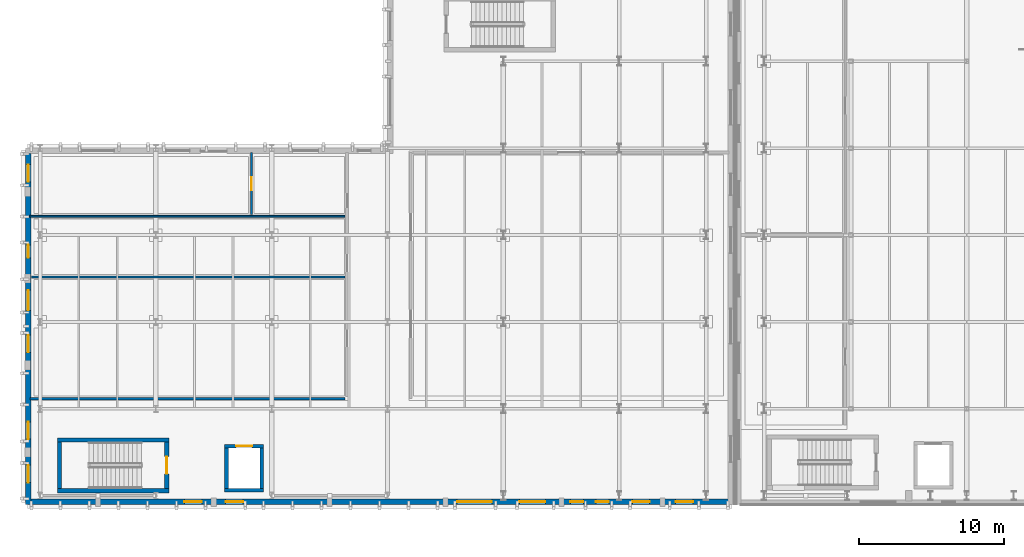
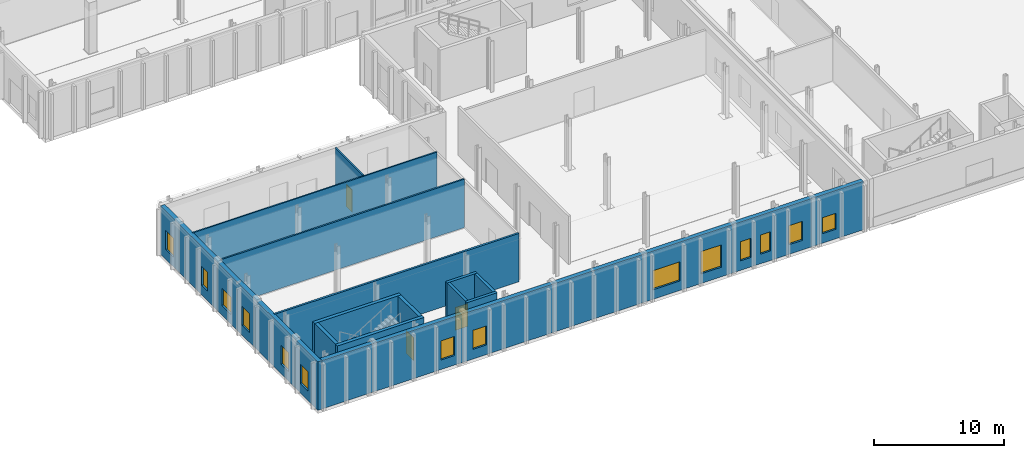
# One storey, part 21 of 60: 14 walls, 14 windows, 3 doors, 17 openings.
"""IFC4 building model written with IfcOpenShell, lengths in metres."""

from ifc_helpers import new_model, si_unit, direction, frame, frame_2d, origin, place, context, subcontext, project, spatial, rectangle, extrude, material, layer, layer_set, type_object, element, fill, save


model = new_model("IFC4")

# Units and contexts
model_context = context("Model", 3, precision=1e-05, world=origin(), true_north=direction((0.0, 1.0)))
body_context = subcontext(model_context, "Body", "Model", "MODEL_VIEW")
ifc_project = project(units=[si_unit("LENGTHUNIT", "METRE"), si_unit("AREAUNIT", "SQUARE_METRE"), si_unit("VOLUMEUNIT", "CUBIC_METRE"), si_unit("PLANEANGLEUNIT", "RADIAN"), si_unit("MASSUNIT", "GRAM", prefix="KILO")], contexts=[model_context])

# Site, building, storey
site_placement = place(None, origin())
site = spatial("IfcSite", under=ifc_project, at=site_placement, CompositionType="ELEMENT")
building_placement = place(site_placement, origin())
building = spatial("IfcBuilding", under=site, at=building_placement, Name="Cymarion Research Institute", CompositionType="ELEMENT")
storey_placement = place(building_placement, origin())
storey = spatial("IfcBuildingStorey", under=building, at=storey_placement, Name="L00", CompositionType="ELEMENT", Elevation=0.0)

# Wall, openings, windows
ifc_material_1 = material(Name="Precast concrete C40/50", Category="concrete")
ifc_layer_1 = layer(ifc_material_1, 0.3798828125)
ifc_layer_set_1 = layer_set([ifc_layer_1], Name="Precast concrete C40/50")
wall_type_1 = type_object("IfcWallType", Name="EXTERIOR WALL EW-PC380 380MM", PredefinedType="SOLIDWALL", material=ifc_layer_set_1)
wall_1_placement = place(storey_placement, frame((5.9619140625, 5.090087890625, 0.0), z_axis=(0.0, 0.0, 1.0), x_axis=(1.0, 0.0, 0.0)))
wall_1 = element("IfcWall", 1, at=wall_1_placement, inside=storey, type_object=wall_type_1, Name="L00 V3 exterior wall EW-PC380 #59", PredefinedType="SOLIDWALL", context=body_context, shape_type="SweptSolid", body=[
    extrude(rectangle(XDim=48.176025390625, YDim=0.3798828125, at=frame_2d((24.087890625, 0.0))), origin(), (0.0, 0.0, 1.0), 4.550048828125),
])
opening_1_placement = place(wall_1_placement, frame((10.614013671875, 0.0, 0.89990234375)))
opening_1 = element("IfcOpeningElement", 2, at=opening_1_placement, cuts=wall_1, Name="Opening W01", PredefinedType="OPENING", context=body_context, shape_type="SweptSolid", body=[
    extrude(rectangle(XDim=1.199951171875, YDim=1.800048828125, at=frame_2d((0.60009765625, 0.89990234375))), frame((0.0, 0.199951171875, 0.0), z_axis=(0.0, -1.0, 0.0), x_axis=(1.0, 0.0, 0.0)), (0.0, 0.0, 1.0), 0.39990234375),
])
opening_2_placement = place(wall_1_placement, frame((13.4580078125, 0.0, 0.89990234375)))
opening_2 = element("IfcOpeningElement", 3, at=opening_2_placement, cuts=wall_1, Name="Opening W01", PredefinedType="OPENING", context=body_context, shape_type="SweptSolid", body=[
    extrude(rectangle(XDim=1.199951171875, YDim=1.800048828125, at=frame_2d((0.60009765625, 0.89990234375))), frame((0.0, 0.199951171875, 0.0), z_axis=(0.0, -1.0, 0.0), x_axis=(1.0, 0.0, 0.0)), (0.0, 0.0, 1.0), 0.39990234375),
])
opening_3_placement = place(wall_1_placement, frame((29.43798828125, 0.0, 0.89990234375)))
opening_3 = element("IfcOpeningElement", 4, at=opening_3_placement, cuts=wall_1, Name="Opening W05", PredefinedType="OPENING", context=body_context, shape_type="SweptSolid", body=[
    extrude(rectangle(XDim=2.39990234375, YDim=1.800048828125, at=frame_2d((1.199951171875, 0.89990234375))), frame((0.0, 0.199951171875, 0.0), z_axis=(0.0, -1.0, 0.0), x_axis=(1.0, 0.0, 0.0)), (0.0, 0.0, 1.0), 0.39990234375),
])
opening_4_placement = place(wall_1_placement, frame((33.738037109375, 0.0, 0.89990234375)))
opening_4 = element("IfcOpeningElement", 5, at=opening_4_placement, cuts=wall_1, Name="Opening W10", PredefinedType="OPENING", context=body_context, shape_type="SweptSolid", body=[
    extrude(rectangle(XDim=1.800048828125, YDim=2.10009765625, at=frame_2d((0.89990234375, 1.050048828125))), frame((0.0, 0.199951171875, 0.0), z_axis=(0.0, -1.0, 0.0), x_axis=(1.0, 0.0, 0.0)), (0.0, 0.0, 1.0), 0.39990234375),
])
opening_5_placement = place(wall_1_placement, frame((37.258056640625, 0.0, 0.89990234375)))
opening_5 = element("IfcOpeningElement", 6, at=opening_5_placement, cuts=wall_1, Name="Opening W24", PredefinedType="OPENING", context=body_context, shape_type="SweptSolid", body=[
    extrude(rectangle(XDim=0.89990234375, YDim=1.800048828125, at=frame_2d((0.449951171875, 0.89990234375))), frame((0.0, 0.199951171875, 0.0), z_axis=(0.0, -1.0, 0.0), x_axis=(1.0, 0.0, 0.0)), (0.0, 0.0, 1.0), 0.39990234375),
])
opening_6_placement = place(wall_1_placement, frame((39.01806640625, 0.0, 0.89990234375)))
opening_6 = element("IfcOpeningElement", 7, at=opening_6_placement, cuts=wall_1, Name="Opening W24", PredefinedType="OPENING", context=body_context, shape_type="SweptSolid", body=[
    extrude(rectangle(XDim=0.89990234375, YDim=1.800048828125, at=frame_2d((0.449951171875, 0.89990234375))), frame((0.0, 0.199951171875, 0.0), z_axis=(0.0, -1.0, 0.0), x_axis=(1.0, 0.0, 0.0)), (0.0, 0.0, 1.0), 0.39990234375),
])
opening_7_placement = place(wall_1_placement, frame((41.5380859375, 0.0, 0.89990234375)))
opening_7 = element("IfcOpeningElement", 8, at=opening_7_placement, cuts=wall_1, Name="Opening W01", PredefinedType="OPENING", context=body_context, shape_type="SweptSolid", body=[
    extrude(rectangle(XDim=1.199951171875, YDim=1.800048828125, at=frame_2d((0.60009765625, 0.89990234375))), frame((0.0, 0.199951171875, 0.0), z_axis=(0.0, -1.0, 0.0), x_axis=(1.0, 0.0, 0.0)), (0.0, 0.0, 1.0), 0.39990234375),
])
opening_8_placement = place(wall_1_placement, frame((44.5380859375, 0.0, 0.89990234375)))
opening_8 = element("IfcOpeningElement", 9, at=opening_8_placement, cuts=wall_1, Name="Opening W15", PredefinedType="OPENING", context=body_context, shape_type="SweptSolid", body=[
    extrude(rectangle(XDim=1.199951171875, YDim=1.5, at=frame_2d((0.60009765625, 0.75))), frame((0.0, 0.199951171875, 0.0), z_axis=(0.0, -1.0, 0.0), x_axis=(1.0, 0.0, 0.0)), (0.0, 0.0, 1.0), 0.39990234375),
])
ifc_material_2 = material(Name="Thermally broken aluminium window with Low-E glazing", Category="aluminium")
window_type_1 = type_object("IfcWindowType", Name="THERMALLY BROKEN ALUMINIUM WINDOW W01 1200X1800", PartitioningType="SINGLE_PANEL", PredefinedType="WINDOW", material=ifc_material_2)
window_1_placement = place(opening_1_placement, origin())
window_1 = element("IfcWindow", 10, at=window_1_placement, inside=storey, type_object=window_type_1, Name="L00 V3 facade window W01 #68", OverallHeight=1.800048828125, OverallWidth=1.199951171875, PartitioningType="SINGLE_PANEL", PredefinedType="WINDOW", context=body_context, shape_type="SweptSolid", body=[
    extrude(rectangle(XDim=1.199951171875, YDim=1.800048828125, at=frame_2d((0.60009765625, 0.89990234375))), frame((0.0, 0.030029296875, 0.0), z_axis=(0.0, -1.0, 0.0), x_axis=(1.0, 0.0, 0.0)), (0.0, 0.0, 1.0), 0.06005859375),
])
fill(opening_1, window_1)
window_2_placement = place(opening_2_placement, origin())
window_2 = element("IfcWindow", 11, at=window_2_placement, inside=storey, type_object=window_type_1, Name="L00 V3 facade window W01 #69", OverallHeight=1.800048828125, OverallWidth=1.199951171875, PartitioningType="SINGLE_PANEL", PredefinedType="WINDOW", context=body_context, shape_type="SweptSolid", body=[
    extrude(rectangle(XDim=1.199951171875, YDim=1.800048828125, at=frame_2d((0.60009765625, 0.89990234375))), frame((0.0, 0.030029296875, 0.0), z_axis=(0.0, -1.0, 0.0), x_axis=(1.0, 0.0, 0.0)), (0.0, 0.0, 1.0), 0.06005859375),
])
fill(opening_2, window_2)
window_3_placement = place(opening_7_placement, origin())
window_3 = element("IfcWindow", 12, at=window_3_placement, inside=storey, type_object=window_type_1, Name="L00 V3 facade window W01 #74", OverallHeight=1.800048828125, OverallWidth=1.199951171875, PartitioningType="SINGLE_PANEL", PredefinedType="WINDOW", context=body_context, shape_type="SweptSolid", body=[
    extrude(rectangle(XDim=1.199951171875, YDim=1.800048828125, at=frame_2d((0.60009765625, 0.89990234375))), frame((0.0, 0.030029296875, 0.0), z_axis=(0.0, -1.0, 0.0), x_axis=(1.0, 0.0, 0.0)), (0.0, 0.0, 1.0), 0.06005859375),
])
fill(opening_7, window_3)
window_type_2 = type_object("IfcWindowType", Name="THERMALLY BROKEN ALUMINIUM WINDOW W05 2400X1800", PartitioningType="TRIPLE_PANEL_VERTICAL", PredefinedType="WINDOW", material=ifc_material_2)
window_4_placement = place(opening_3_placement, origin())
window_4 = element("IfcWindow", 13, at=window_4_placement, inside=storey, type_object=window_type_2, Name="L00 V3 facade window W05 #70", OverallHeight=1.800048828125, OverallWidth=2.39990234375, PartitioningType="SINGLE_PANEL", PredefinedType="WINDOW", context=body_context, shape_type="SweptSolid", body=[
    extrude(rectangle(XDim=2.39990234375, YDim=1.800048828125, at=frame_2d((1.199951171875, 0.89990234375))), frame((0.0, 0.030029296875, 0.0), z_axis=(0.0, -1.0, 0.0), x_axis=(1.0, 0.0, 0.0)), (0.0, 0.0, 1.0), 0.06005859375),
])
fill(opening_3, window_4)
window_type_3 = type_object("IfcWindowType", Name="THERMALLY BROKEN ALUMINIUM WINDOW W10 1800X2100", PartitioningType="DOUBLE_PANEL_VERTICAL", PredefinedType="WINDOW", material=ifc_material_2)
window_5_placement = place(opening_4_placement, origin())
window_5 = element("IfcWindow", 14, at=window_5_placement, inside=storey, type_object=window_type_3, Name="L00 V3 facade window W10 #71", OverallHeight=2.10009765625, OverallWidth=1.800048828125, PartitioningType="SINGLE_PANEL", PredefinedType="WINDOW", context=body_context, shape_type="SweptSolid", body=[
    extrude(rectangle(XDim=1.800048828125, YDim=2.10009765625, at=frame_2d((0.89990234375, 1.050048828125))), frame((0.0, 0.030029296875, 0.0), z_axis=(0.0, -1.0, 0.0), x_axis=(1.0, 0.0, 0.0)), (0.0, 0.0, 1.0), 0.06005859375),
])
fill(opening_4, window_5)
window_type_4 = type_object("IfcWindowType", Name="THERMALLY BROKEN ALUMINIUM WINDOW W15 1200X1500", PartitioningType="SINGLE_PANEL", PredefinedType="WINDOW", material=ifc_material_2)
window_6_placement = place(opening_8_placement, origin())
window_6 = element("IfcWindow", 15, at=window_6_placement, inside=storey, type_object=window_type_4, Name="L00 V3 facade window W15 #75", OverallHeight=1.5, OverallWidth=1.199951171875, PartitioningType="SINGLE_PANEL", PredefinedType="WINDOW", context=body_context, shape_type="SweptSolid", body=[
    extrude(rectangle(XDim=1.199951171875, YDim=1.5, at=frame_2d((0.60009765625, 0.75))), frame((0.0, 0.030029296875, 0.0), z_axis=(0.0, -1.0, 0.0), x_axis=(1.0, 0.0, 0.0)), (0.0, 0.0, 1.0), 0.06005859375),
])
fill(opening_8, window_6)
window_type_5 = type_object("IfcWindowType", Name="THERMALLY BROKEN ALUMINIUM WINDOW W24 900X1800", PartitioningType="SINGLE_PANEL", PredefinedType="WINDOW", material=ifc_material_2)
window_7_placement = place(opening_5_placement, origin())
window_7 = element("IfcWindow", 16, at=window_7_placement, inside=storey, type_object=window_type_5, Name="L00 V3 facade window W24 #72", OverallHeight=1.800048828125, OverallWidth=0.89990234375, PartitioningType="SINGLE_PANEL", PredefinedType="WINDOW", context=body_context, shape_type="SweptSolid", body=[
    extrude(rectangle(XDim=0.89990234375, YDim=1.800048828125, at=frame_2d((0.449951171875, 0.89990234375))), frame((0.0, 0.030029296875, 0.0), z_axis=(0.0, -1.0, 0.0), x_axis=(1.0, 0.0, 0.0)), (0.0, 0.0, 1.0), 0.06005859375),
])
fill(opening_5, window_7)
window_8_placement = place(opening_6_placement, origin())
window_8 = element("IfcWindow", 17, at=window_8_placement, inside=storey, type_object=window_type_5, Name="L00 V3 facade window W24 #73", OverallHeight=1.800048828125, OverallWidth=0.89990234375, PartitioningType="SINGLE_PANEL", PredefinedType="WINDOW", context=body_context, shape_type="SweptSolid", body=[
    extrude(rectangle(XDim=0.89990234375, YDim=1.800048828125, at=frame_2d((0.449951171875, 0.89990234375))), frame((0.0, 0.030029296875, 0.0), z_axis=(0.0, -1.0, 0.0), x_axis=(1.0, 0.0, 0.0)), (0.0, 0.0, 1.0), 0.06005859375),
])
fill(opening_6, window_8)

wall_2_placement = place(storey_placement, frame((5.7900390625, 29.137939453125, 0.0), z_axis=(0.0, 0.0, 1.0), x_axis=(0.0, -1.0, 0.0)))
wall_2 = element("IfcWall", 18, at=wall_2_placement, inside=storey, type_object=wall_type_1, Name="L00 V3 exterior wall EW-PC380 #64", PredefinedType="SOLIDWALL", context=body_context, shape_type="SweptSolid", body=[
    extrude(rectangle(XDim=24.238037109375, YDim=0.3798828125, at=frame_2d((12.119140625, 0.0))), origin(), (0.0, 0.0, 1.0), 4.550048828125),
])
opening_9_placement = place(wall_2_placement, frame((0.76904296875, 0.0, 0.89990234375)))
opening_9 = element("IfcOpeningElement", 19, at=opening_9_placement, cuts=wall_2, Name="Opening W01", PredefinedType="OPENING", context=body_context, shape_type="SweptSolid", body=[
    extrude(rectangle(XDim=1.199951171875, YDim=1.800048828125, at=frame_2d((0.60009765625, 0.89990234375))), frame((0.0, 0.199951171875, 0.0), z_axis=(0.0, -1.0, 0.0), x_axis=(1.0, 0.0, 0.0)), (0.0, 0.0, 1.0), 0.39990234375),
])
opening_10_placement = place(wall_2_placement, frame((6.30810546875, 0.0, 0.89990234375)))
opening_10 = element("IfcOpeningElement", 20, at=opening_10_placement, cuts=wall_2, Name="Opening W24", PredefinedType="OPENING", context=body_context, shape_type="SweptSolid", body=[
    extrude(rectangle(XDim=0.89990234375, YDim=1.800048828125, at=frame_2d((0.449951171875, 0.89990234375))), frame((0.0, 0.199951171875, 0.0), z_axis=(0.0, -1.0, 0.0), x_axis=(1.0, 0.0, 0.0)), (0.0, 0.0, 1.0), 0.39990234375),
])
opening_11_placement = place(wall_2_placement, frame((9.43798828125, 0.0, 0.89990234375)))
opening_11 = element("IfcOpeningElement", 21, at=opening_11_placement, cuts=wall_2, Name="Opening W33", PredefinedType="OPENING", context=body_context, shape_type="SweptSolid", body=[
    extrude(rectangle(XDim=1.39990234375, YDim=1.64990234375, at=frame_2d((0.699951171875, 0.824951171875))), frame((0.0, 0.199951171875, 0.0), z_axis=(0.0, -1.0, 0.0), x_axis=(1.0, 0.0, 0.0)), (0.0, 0.0, 1.0), 0.39990234375),
])
opening_12_placement = place(wall_2_placement, frame((12.5380859375, 0.0, 0.89990234375)))
opening_12 = element("IfcOpeningElement", 22, at=opening_12_placement, cuts=wall_2, Name="Opening W01", PredefinedType="OPENING", context=body_context, shape_type="SweptSolid", body=[
    extrude(rectangle(XDim=1.199951171875, YDim=1.800048828125, at=frame_2d((0.60009765625, 0.89990234375))), frame((0.0, 0.199951171875, 0.0), z_axis=(0.0, -1.0, 0.0), x_axis=(1.0, 0.0, 0.0)), (0.0, 0.0, 1.0), 0.39990234375),
])
opening_13_placement = place(wall_2_placement, frame((18.5380859375, 0.0, 0.89990234375)))
opening_13 = element("IfcOpeningElement", 23, at=opening_13_placement, cuts=wall_2, Name="Opening W01", PredefinedType="OPENING", context=body_context, shape_type="SweptSolid", body=[
    extrude(rectangle(XDim=1.199951171875, YDim=1.800048828125, at=frame_2d((0.60009765625, 0.89990234375))), frame((0.0, 0.199951171875, 0.0), z_axis=(0.0, -1.0, 0.0), x_axis=(1.0, 0.0, 0.0)), (0.0, 0.0, 1.0), 0.39990234375),
])
opening_14_placement = place(wall_2_placement, frame((21.528076171875, 0.0, 0.89990234375)))
opening_14 = element("IfcOpeningElement", 24, at=opening_14_placement, cuts=wall_2, Name="Opening W01", PredefinedType="OPENING", context=body_context, shape_type="SweptSolid", body=[
    extrude(rectangle(XDim=1.199951171875, YDim=1.800048828125, at=frame_2d((0.60009765625, 0.89990234375))), frame((0.0, 0.199951171875, 0.0), z_axis=(0.0, -1.0, 0.0), x_axis=(1.0, 0.0, 0.0)), (0.0, 0.0, 1.0), 0.39990234375),
])
window_9_placement = place(opening_9_placement, origin())
window_9 = element("IfcWindow", 25, at=window_9_placement, inside=storey, type_object=window_type_1, Name="L00 V3 facade window W01 #91", OverallHeight=1.800048828125, OverallWidth=1.199951171875, PartitioningType="SINGLE_PANEL", PredefinedType="WINDOW", context=body_context, shape_type="SweptSolid", body=[
    extrude(rectangle(XDim=1.199951171875, YDim=1.800048828125, at=frame_2d((0.60009765625, 0.89990234375))), frame((0.0, 0.030029296875, 0.0), z_axis=(0.0, -1.0, 0.0), x_axis=(1.0, 0.0, 0.0)), (0.0, 0.0, 1.0), 0.06005859375),
])
fill(opening_9, window_9)
window_10_placement = place(opening_12_placement, origin())
window_10 = element("IfcWindow", 26, at=window_10_placement, inside=storey, type_object=window_type_1, Name="L00 V3 facade window W01 #94", OverallHeight=1.800048828125, OverallWidth=1.199951171875, PartitioningType="SINGLE_PANEL", PredefinedType="WINDOW", context=body_context, shape_type="SweptSolid", body=[
    extrude(rectangle(XDim=1.199951171875, YDim=1.800048828125, at=frame_2d((0.60009765625, 0.89990234375))), frame((0.0, 0.030029296875, 0.0), z_axis=(0.0, -1.0, 0.0), x_axis=(1.0, 0.0, 0.0)), (0.0, 0.0, 1.0), 0.06005859375),
])
fill(opening_12, window_10)
window_11_placement = place(opening_13_placement, origin())
window_11 = element("IfcWindow", 27, at=window_11_placement, inside=storey, type_object=window_type_1, Name="L00 V3 facade window W01 #95", OverallHeight=1.800048828125, OverallWidth=1.199951171875, PartitioningType="SINGLE_PANEL", PredefinedType="WINDOW", context=body_context, shape_type="SweptSolid", body=[
    extrude(rectangle(XDim=1.199951171875, YDim=1.800048828125, at=frame_2d((0.60009765625, 0.89990234375))), frame((0.0, 0.030029296875, 0.0), z_axis=(0.0, -1.0, 0.0), x_axis=(1.0, 0.0, 0.0)), (0.0, 0.0, 1.0), 0.06005859375),
])
fill(opening_13, window_11)
window_12_placement = place(opening_14_placement, origin())
window_12 = element("IfcWindow", 28, at=window_12_placement, inside=storey, type_object=window_type_1, Name="L00 V3 facade window W01 #96", OverallHeight=1.800048828125, OverallWidth=1.199951171875, PartitioningType="SINGLE_PANEL", PredefinedType="WINDOW", context=body_context, shape_type="SweptSolid", body=[
    extrude(rectangle(XDim=1.199951171875, YDim=1.800048828125, at=frame_2d((0.60009765625, 0.89990234375))), frame((0.0, 0.030029296875, 0.0), z_axis=(0.0, -1.0, 0.0), x_axis=(1.0, 0.0, 0.0)), (0.0, 0.0, 1.0), 0.06005859375),
])
fill(opening_14, window_12)
window_13_placement = place(opening_10_placement, origin())
window_13 = element("IfcWindow", 29, at=window_13_placement, inside=storey, type_object=window_type_5, Name="L00 V3 facade window W24 #92", OverallHeight=1.800048828125, OverallWidth=0.89990234375, PartitioningType="SINGLE_PANEL", PredefinedType="WINDOW", context=body_context, shape_type="SweptSolid", body=[
    extrude(rectangle(XDim=0.89990234375, YDim=1.800048828125, at=frame_2d((0.449951171875, 0.89990234375))), frame((0.0, 0.030029296875, 0.0), z_axis=(0.0, -1.0, 0.0), x_axis=(1.0, 0.0, 0.0)), (0.0, 0.0, 1.0), 0.06005859375),
])
fill(opening_10, window_13)
window_type_6 = type_object("IfcWindowType", Name="THERMALLY BROKEN ALUMINIUM WINDOW W33 1400X1650", PartitioningType="SINGLE_PANEL", PredefinedType="WINDOW", material=ifc_material_2)
window_14_placement = place(opening_11_placement, origin())
window_14 = element("IfcWindow", 30, at=window_14_placement, inside=storey, type_object=window_type_6, Name="L00 V3 facade window W33 #93", OverallHeight=1.64990234375, OverallWidth=1.39990234375, PartitioningType="SINGLE_PANEL", PredefinedType="WINDOW", context=body_context, shape_type="SweptSolid", body=[
    extrude(rectangle(XDim=1.39990234375, YDim=1.64990234375, at=frame_2d((0.699951171875, 0.824951171875))), frame((0.0, 0.030029296875, 0.0), z_axis=(0.0, -1.0, 0.0), x_axis=(1.0, 0.0, 0.0)), (0.0, 0.0, 1.0), 0.06005859375),
])
fill(opening_11, window_14)

# Walls
ifc_material_3 = material(Name="Gypsum acoustic double-stud partition", Category="gypsum")
ifc_layer_2 = layer(ifc_material_3, 0.14990234375)
ifc_layer_set_2 = layer_set([ifc_layer_2], Name="Gypsum acoustic double-stud partition")
wall_type_2 = type_object("IfcWallType", Name="INTERIOR PARTITION IW-AC150 150MM", PredefinedType="PARTITIONING", material=ifc_layer_set_2)
wall_3_placement = place(storey_placement, frame((6.0, 20.60009765625, 0.0), z_axis=(0.0, 0.0, 1.0), x_axis=(1.0, 0.0, 0.0)))
element("IfcWall", 31, at=wall_3_placement, inside=storey, type_object=wall_type_2, Name="L00 V3 interior partition IW-AC150 #74", PredefinedType="PARTITIONING", context=body_context, shape_type="SweptSolid", body=[
    extrude(rectangle(XDim=21.659912109375, YDim=0.14990234375, at=frame_2d((10.830078125, 0.0))), origin(), (0.0, 0.0, 1.0), 4.550048828125),
])
ifc_material_4 = material(Name="Moisture-resistant laboratory partition", Category="gypsum")
ifc_layer_3 = layer(ifc_material_4, 0.179931640625)
ifc_layer_set_3 = layer_set([ifc_layer_3], Name="Moisture-resistant laboratory partition")
wall_type_3 = type_object("IfcWallType", Name="INTERIOR PARTITION IW-LB180 180MM", PredefinedType="PARTITIONING", material=ifc_layer_set_3)
wall_4_placement = place(storey_placement, frame((5.905029296875, 12.199951171875, 0.0), z_axis=(0.0, 0.0, 1.0), x_axis=(1.0, 0.0, 0.0)))
element("IfcWall", 32, at=wall_4_placement, inside=storey, type_object=wall_type_3, Name="L00 V3 interior partition IW-LB180 #73", PredefinedType="PARTITIONING", context=body_context, shape_type="SweptSolid", body=[
    extrude(rectangle(XDim=21.7548828125, YDim=0.179931640625, at=frame_2d((10.87744140625, 0.0))), origin(), (0.0, 0.0, 1.0), 4.550048828125),
])
ifc_material_5 = material(Name="Service riser shaft wall", Category="gypsum")
ifc_layer_4 = layer(ifc_material_5, 0.1201171875)
ifc_layer_set_4 = layer_set([ifc_layer_4], Name="Service riser shaft wall")
wall_type_4 = type_object("IfcWallType", Name="INTERIOR PARTITION IW-SH120 120MM", PredefinedType="PARTITIONING", material=ifc_layer_set_4)
wall_5_placement = place(storey_placement, frame((5.905029296875, 24.800048828125, 0.0), z_axis=(0.0, 0.0, 1.0), x_axis=(1.0, 0.0, 0.0)))
element("IfcWall", 33, at=wall_5_placement, inside=storey, type_object=wall_type_4, Name="L00 V3 interior partition IW-SH120 #75", PredefinedType="PARTITIONING", context=body_context, shape_type="SweptSolid", body=[
    extrude(rectangle(XDim=21.7548828125, YDim=0.1201171875, at=frame_2d((10.87744140625, 0.0))), origin(), (0.0, 0.0, 1.0), 4.550048828125),
])

# Wall, opening, door
wall_6_placement = place(storey_placement, frame((21.199951171875, 24.919921875, 0.0), z_axis=(0.0, 0.0, 1.0), x_axis=(0.0, 1.0, 0.0)))
wall_6 = element("IfcWall", 34, at=wall_6_placement, inside=storey, type_object=wall_type_4, Name="L00 V3 interior partition IW-SH120 #76", PredefinedType="PARTITIONING", context=body_context, shape_type="SweptSolid", body=[
    extrude(rectangle(XDim=4.275146484375, YDim=0.1201171875, at=frame_2d((2.1376953125, 0.0))), origin(), (0.0, 0.0, 1.0), 4.550048828125),
])
opening_15_placement = place(wall_6_placement, frame((1.68701171875, 0.0, 0.0)))
opening_15 = element("IfcOpeningElement", 35, at=opening_15_placement, cuts=wall_6, Name="Opening D-L00-052", PredefinedType="OPENING", context=body_context, shape_type="SweptSolid", body=[
    extrude(rectangle(XDim=0.89990234375, YDim=2.10009765625, at=frame_2d((0.449951171875, 1.050048828125))), frame((0.0, 0.070068359375, 0.0), z_axis=(0.0, -1.0, 0.0), x_axis=(1.0, 0.0, 0.0)), (0.0, 0.0, 1.0), 0.14013671875),
])
ifc_material_6 = material(Name="Flush acoustic timber/steel door assembly", Category="steel")
door_type_1 = type_object("IfcDoorType", Name="RESEARCH WRITE-UP OFFICE DOOR DT-OF090 900X2100", OperationType="NOTDEFINED", PredefinedType="DOOR", material=ifc_material_6)
door_1_placement = place(opening_15_placement, origin())
door_1 = element("IfcDoor", 36, at=door_1_placement, inside=storey, type_object=door_type_1, Name="L00 Symposium Cloakroom door D-L00-052", OperationType="SINGLE_SWING_LEFT", OverallHeight=2.10009765625, OverallWidth=0.89990234375, PredefinedType="DOOR", context=body_context, shape_type="SweptSolid", body=[
    extrude(rectangle(XDim=0.89990234375, YDim=2.10009765625, at=frame_2d((0.449951171875, 1.050048828125))), frame((0.0, 0.02490234375, 0.0), z_axis=(0.0, -1.0, 0.0), x_axis=(1.0, 0.0, 0.0)), (0.0, 0.0, 1.0), 0.050048828125),
])
fill(opening_15, door_1)

# Wall
ifc_material_7 = material(Name="Concrete C40/50", Category="concrete")
ifc_layer_5 = layer(ifc_material_7, 0.25)
ifc_layer_set_5 = layer_set([ifc_layer_5], Name="Concrete C40/50")
wall_type_5 = type_object("IfcWallType", Name="REINFORCED CONCRETE CORE WALL CW-SH250 250MM", PredefinedType="SHEAR", material=ifc_layer_set_5)
wall_7_placement = place(storey_placement, frame((19.35009765625, 5.875, 0.0), z_axis=(0.0, 0.0, 1.0), x_axis=(1.0, 0.0, 0.0)))
element("IfcWall", 37, at=wall_7_placement, inside=storey, type_object=wall_type_5, Name="L00 LSH-LP3-L00 south core wall", PredefinedType="SHEAR", context=body_context, shape_type="SweptSolid", body=[
    extrude(rectangle(XDim=2.699951171875, YDim=0.25, at=frame_2d((1.35009765625, 0.0))), origin(), (0.0, 0.0, 1.0), 4.800048828125),
])

# Wall, opening, door
wall_8_placement = place(storey_placement, frame((22.050048828125, 8.925048828125, 0.0), z_axis=(0.0, 0.0, 1.0), x_axis=(-1.0, 0.0, 0.0)))
wall_8 = element("IfcWall", 38, at=wall_8_placement, inside=storey, type_object=wall_type_5, Name="L00 LSH-LP3-L00 north core wall", PredefinedType="SHEAR", context=body_context, shape_type="SweptSolid", body=[
    extrude(rectangle(XDim=2.699951171875, YDim=0.25, at=frame_2d((1.35009765625, 0.0))), origin(), (0.0, 0.0, 1.0), 4.800048828125),
])
opening_16_placement = place(wall_8_placement, frame((0.800048828125, 0.0, 0.0)))
opening_16 = element("IfcOpeningElement", 39, at=opening_16_placement, cuts=wall_8, Name="Opening LD-LP3-L00", PredefinedType="OPENING", context=body_context, shape_type="SweptSolid", body=[
    extrude(rectangle(XDim=1.10009765625, YDim=2.14990234375, at=frame_2d((0.550048828125, 1.074951171875))), frame((0.0, 0.135009765625, 0.0), z_axis=(0.0, -1.0, 0.0), x_axis=(1.0, 0.0, 0.0)), (0.0, 0.0, 1.0), 0.27001953125),
])
ifc_material_8 = material(Name="Fire-rated insulated steel door assembly", Category="steel")
door_type_2 = type_object("IfcDoorType", Name="SLIDING LIFT LANDING DOOR DT-LD110 1100X2150", OperationType="DOUBLE_DOOR_SLIDING", PredefinedType="DOOR", material=ifc_material_8)
door_2_placement = place(opening_16_placement, origin())
door_2 = element("IfcDoor", 40, at=door_2_placement, inside=storey, type_object=door_type_2, Name="Lift LP3 landing door L00", OperationType="DOUBLE_DOOR_SLIDING", OverallHeight=2.14990234375, OverallWidth=1.10009765625, PredefinedType="DOOR", context=body_context, shape_type="SweptSolid", body=[
    extrude(rectangle(XDim=1.10009765625, YDim=2.14990234375, at=frame_2d((0.550048828125, 1.074951171875))), frame((0.0, 0.02490234375, 0.0), z_axis=(0.0, -1.0, 0.0), x_axis=(1.0, 0.0, 0.0)), (0.0, 0.0, 1.0), 0.050048828125),
])
fill(opening_16, door_2)

# Walls
for number, where, z_axis, x_axis, name in (
    (41, (19.47509765625, 8.800048828125, 0.0), (0.0, 0.0, 1.0), (0.0, -1.0, 0.0), "L00 LSH-LP3-L00 west core wall"),
    (42, (21.925048828125, 6.0, 0.0), (0.0, 0.0, 1.0), (0.0, 1.0, 0.0), "L00 LSH-LP3-L00 east core wall"),
):
    element("IfcWall", number, at=place(storey_placement, frame(where, z_axis=z_axis, x_axis=x_axis)), inside=storey, type_object=wall_type_5, Name=name, PredefinedType="SHEAR", context=body_context, shape_type="SweptSolid", body=[
        extrude(rectangle(XDim=2.800048828125, YDim=0.25, at=frame_2d((1.39990234375, 0.0))), origin(), (0.0, 0.0, 1.0), 4.800048828125),
    ])
ifc_layer_6 = layer(ifc_material_7, 0.300048828125)
ifc_layer_set_6 = layer_set([ifc_layer_6], Name="Concrete C40/50")
wall_type_6 = type_object("IfcWallType", Name="REINFORCED CONCRETE CORE WALL CW-SH300 300MM", PredefinedType="SHEAR", material=ifc_layer_set_6)
for number, where, z_axis, x_axis, name in (
    (43, (7.800048828125, 5.85009765625, 0.0), (0.0, 0.0, 1.0), (1.0, 0.0, 0.0), "L00 SHW-C5-L00 south core wall"),
    (44, (15.5, 9.35009765625, 0.0), (0.0, 0.0, 1.0), (-1.0, 0.0, 0.0), "L00 SHW-C5-L00 north core wall"),
):
    element("IfcWall", number, at=place(storey_placement, frame(where, z_axis=z_axis, x_axis=x_axis)), inside=storey, type_object=wall_type_6, Name=name, PredefinedType="SHEAR", context=body_context, shape_type="SweptSolid", body=[
        extrude(rectangle(XDim=7.699951171875, YDim=0.300048828125, at=frame_2d((3.85009765625, 0.0))), origin(), (0.0, 0.0, 1.0), 4.800048828125),
    ])
wall_9_placement = place(storey_placement, frame((7.949951171875, 9.199951171875, 0.0), z_axis=(0.0, 0.0, 1.0), x_axis=(0.0, -1.0, 0.0)))
element("IfcWall", 45, at=wall_9_placement, inside=storey, type_object=wall_type_6, Name="L00 SHW-C5-L00 west core wall", PredefinedType="SHEAR", context=body_context, shape_type="SweptSolid", body=[
    extrude(rectangle(XDim=3.199951171875, YDim=0.300048828125, at=frame_2d((1.60009765625, 0.0))), origin(), (0.0, 0.0, 1.0), 4.800048828125),
])

# Wall, opening, door
wall_10_placement = place(storey_placement, frame((15.35009765625, 6.0, 0.0), z_axis=(0.0, 0.0, 1.0), x_axis=(0.0, 1.0, 0.0)))
wall_10 = element("IfcWall", 46, at=wall_10_placement, inside=storey, type_object=wall_type_6, Name="L00 SHW-C5-L00 east core wall", PredefinedType="SHEAR", context=body_context, shape_type="SweptSolid", body=[
    extrude(rectangle(XDim=3.199951171875, YDim=0.300048828125, at=frame_2d((1.60009765625, 0.0))), origin(), (0.0, 0.0, 1.0), 4.800048828125),
])
opening_17_placement = place(wall_10_placement, frame((1.0, 0.0, 0.0)))
opening_17 = element("IfcOpeningElement", 47, at=opening_17_placement, cuts=wall_10, Name="Opening FD-L00-ST5", PredefinedType="OPENING", context=body_context, shape_type="SweptSolid", body=[
    extrude(rectangle(XDim=1.199951171875, YDim=2.14990234375, at=frame_2d((0.60009765625, 1.074951171875))), frame((0.0, 0.159912109375, 0.0), z_axis=(0.0, -1.0, 0.0), x_axis=(1.0, 0.0, 0.0)), (0.0, 0.0, 1.0), 0.320068359375),
])
door_type_3 = type_object("IfcDoorType", Name="SMOKE PROOF STAIR FIRE DOOR DT-ST120 1200X2150", OperationType="NOTDEFINED", PredefinedType="DOOR", material=ifc_material_8)
door_3_placement = place(opening_17_placement, frame((1.199951171875, 0.0, 0.0), z_axis=(0.0, 0.0, 1.0), x_axis=(-1.0, 0.0, 0.0)))
door_3 = element("IfcDoor", 48, at=door_3_placement, inside=storey, type_object=door_type_3, Name="L00 ST5 smoke-proof stair door FD-L00-ST5", OperationType="SINGLE_SWING_RIGHT", OverallHeight=2.14990234375, OverallWidth=1.199951171875, PredefinedType="DOOR", context=body_context, shape_type="SweptSolid", body=[
    extrude(rectangle(XDim=1.199951171875, YDim=2.14990234375, at=frame_2d((0.60009765625, 1.074951171875))), frame((0.0, 0.02490234375, 0.0), z_axis=(0.0, -1.0, 0.0), x_axis=(1.0, 0.0, 0.0)), (0.0, 0.0, 1.0), 0.050048828125),
])
fill(opening_17, door_3)

save(model, "model.ifc")
